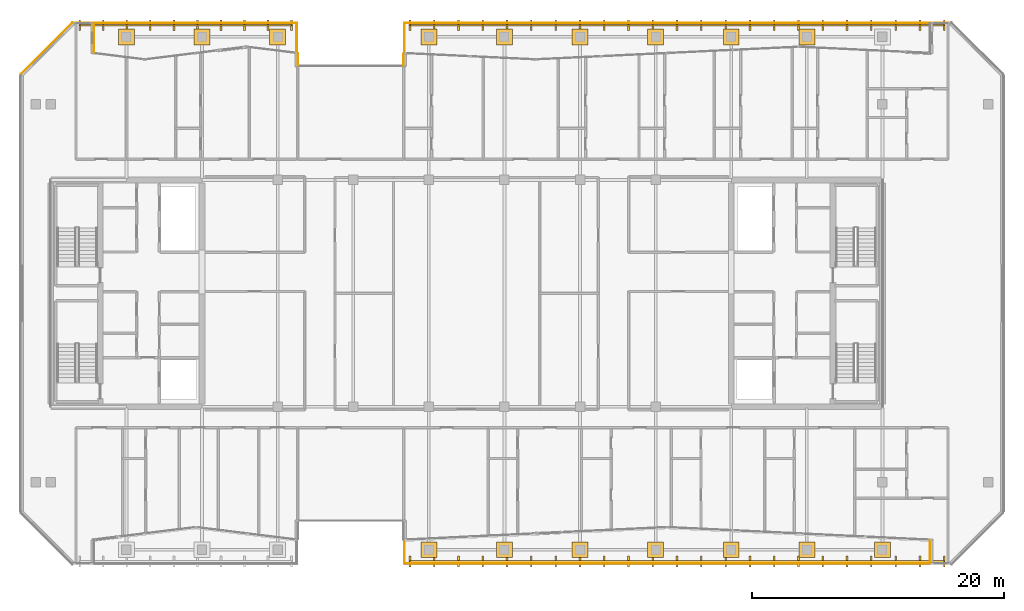
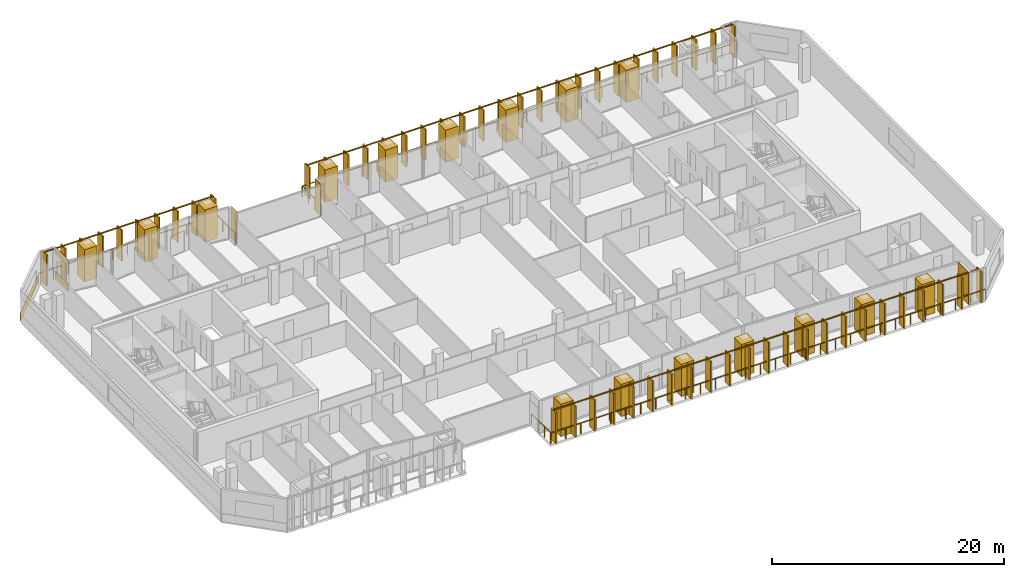
# One storey, part 29 of 31: 22 coverings, 6 railings.
"""IFC4 building model written with IfcOpenShell, lengths in metres."""

from ifc_helpers import new_model, si_unit, direction, frame, origin, origin_2d, place, context, subcontext, project, spatial, rectangle, extrude, material, layer, layer_set, type_object, element, save


model = new_model("IFC4")

# Units and contexts
model_context = context("Model", 3, precision=1e-05, world=origin(), true_north=direction((0.0, 1.0)))
body_context = subcontext(model_context, "Body", "Model", "MODEL_VIEW")
ifc_project = project(units=[si_unit("LENGTHUNIT", "METRE"), si_unit("AREAUNIT", "SQUARE_METRE"), si_unit("VOLUMEUNIT", "CUBIC_METRE"), si_unit("PLANEANGLEUNIT", "RADIAN"), si_unit("MASSUNIT", "GRAM", prefix="KILO")], contexts=[model_context])

# Site, building, storey
site_placement = place(None, origin())
site = spatial("IfcSite", under=ifc_project, at=site_placement, CompositionType="ELEMENT")
building_placement = place(site_placement, origin())
building = spatial("IfcBuilding", under=site, at=building_placement, Name="Tanjung Sevakor Pilgrim Tower", CompositionType="ELEMENT")
storey_placement = place(building_placement, frame((0.0, 0.0, 208.22998046875)))
storey = spatial("IfcBuildingStorey", under=building, at=storey_placement, Name="L58", CompositionType="ELEMENT", Elevation=208.22998046875)

# Coverings
ifc_material_1 = material(Name="Reconstructed Limestone Cladding", Category="masonry")
ifc_layer = layer(ifc_material_1, 0.044921875)
ifc_layer_set = layer_set([ifc_layer], Name="COV-CLAD-LIMESTONE")
covering_type = type_object("IfcCoveringType", Name="COV-CLAD-LIMESTONE", PredefinedType="CLADDING", material=ifc_layer_set)
covering_1_placement = place(storey_placement, frame((93.777587890625, 13.097412109375, 0.02001953125), z_axis=(0.0, 0.0, 1.0), x_axis=(0.0, -1.0, 0.0)))
element("IfcCovering", 1, at=covering_1_placement, inside=storey, type_object=covering_type, Name="L58 Warm Limestone Wall Cladding EW-L58-MAIN-14", PredefinedType="CLADDING", context=body_context, shape_type="SweptSolid", body=[
    extrude(rectangle(XDim=1.8349609375, YDim=0.044921875, at=origin_2d()), origin(), (0.0, 0.0, 1.0), 3.3701171875),
])
covering_2_placement = place(storey_placement, frame((51.9775390625, 52.147216796875, 0.02001953125), z_axis=(0.0, 0.0, 1.0), x_axis=(0.0, -1.0, 0.0)))
element("IfcCovering", 2, at=covering_2_placement, inside=storey, type_object=covering_type, Name="L58 Warm Limestone Wall Cladding EW-L58-MAIN-25", PredefinedType="CLADDING", context=body_context, shape_type="SweptSolid", body=[
    extrude(rectangle(XDim=0.974609375, YDim=0.044921875, at=origin_2d()), origin(), (0.0, 0.0, 1.0), 3.3701171875),
])
covering_3_placement = place(storey_placement, frame((43.62255859375, 52.156494140625, 0.02001953125), z_axis=(0.0, 0.0, 1.0), x_axis=(0.0, 1.0, 0.0)))
element("IfcCovering", 3, at=covering_3_placement, inside=storey, type_object=covering_type, Name="L58 Warm Limestone Wall Cladding EW-L58-MAIN-27", PredefinedType="CLADDING", context=body_context, shape_type="SweptSolid", body=[
    extrude(rectangle(XDim=0.99267578125, YDim=0.044921875, at=origin_2d()), origin(), (0.0, 0.0, 1.0), 3.3701171875),
])
covering_4_placement = place(storey_placement, frame((27.422607421875, 53.856201171875, 0.009765625), z_axis=(0.0, 0.0, 1.0), x_axis=(0.0, 1.0, 0.0)))
element("IfcCovering", 4, at=covering_4_placement, inside=storey, type_object=covering_type, Name="L58 Warm Limestone Sill Spandrel EW-L58-MAIN-32-1", PredefinedType="CLADDING", context=body_context, shape_type="SweptSolid", body=[
    extrude(rectangle(XDim=2.287353515625, YDim=0.044921875, at=origin_2d()), origin(), (0.0, 0.0, 1.0), 0.840087890625),
])
covering_5_placement = place(storey_placement, frame((27.422607421875, 53.856201171875, 2.66015625), z_axis=(0.0, 0.0, 1.0), x_axis=(0.0, 1.0, 0.0)))
element("IfcCovering", 5, at=covering_5_placement, inside=storey, type_object=covering_type, Name="L58 Warm Limestone Cornice Spandrel EW-L58-MAIN-32", PredefinedType="CLADDING", context=body_context, shape_type="SweptSolid", body=[
    extrude(rectangle(XDim=2.327392578125, YDim=0.044921875, at=origin_2d()), origin(), (0.0, 0.0, 1.0), 0.739990234375),
])
covering_6_placement = place(storey_placement, frame((23.68408203125, 53.06591796875, 0.009765625), z_axis=(0.0, 0.0, 1.0), x_axis=(-0.707106781187, -0.707106781187, 0.0)))
element("IfcCovering", 6, at=covering_6_placement, inside=storey, type_object=covering_type, Name="L58 Warm Limestone Sill Spandrel EW-CHM-L58-MAIN-33-1", PredefinedType="CLADDING", context=body_context, shape_type="SweptSolid", body=[
    extrude(rectangle(XDim=5.7685546875, YDim=0.044921875, at=origin_2d()), origin(), (0.0, 0.0, 1.0), 0.840087890625),
])
for number, where, z_axis, x_axis, name in (
    (7, (30.0, 53.949951171875, 0.01025390625), (0.0, 0.0, 1.0), (1.0, 0.0, 0.0), "L58 Colonnade Pier Limestone Casing 22"),
    (8, (36.0, 53.949951171875, 0.01025390625), (0.0, 0.0, 1.0), (1.0, 0.0, 0.0), "L58 Colonnade Pier Limestone Casing 24"),
    (9, (42.0, 53.949951171875, 0.01025390625), (0.0, 0.0, 1.0), (1.0, 0.0, 0.0), "L58 Colonnade Pier Limestone Casing 26"),
    (10, (54.0, 13.25, 0.01025390625), (0.0, 0.0, 1.0), (1.0, 0.0, 0.0), "L58 Colonnade Pier Limestone Casing 27"),
    (11, (54.0, 53.949951171875, 0.01025390625), (0.0, 0.0, 1.0), (1.0, 0.0, 0.0), "L58 Colonnade Pier Limestone Casing 28"),
    (12, (60.0, 13.25, 0.01025390625), (0.0, 0.0, 1.0), (1.0, 0.0, 0.0), "L58 Colonnade Pier Limestone Casing 29"),
    (13, (60.0, 53.949951171875, 0.01025390625), (0.0, 0.0, 1.0), (1.0, 0.0, 0.0), "L58 Colonnade Pier Limestone Casing 30"),
    (14, (66.0, 13.25, 0.01025390625), (0.0, 0.0, 1.0), (1.0, 0.0, 0.0), "L58 Colonnade Pier Limestone Casing 31"),
    (15, (66.0, 53.949951171875, 0.01025390625), (0.0, 0.0, 1.0), (1.0, 0.0, 0.0), "L58 Colonnade Pier Limestone Casing 32"),
    (16, (72.0, 13.25, 0.01025390625), (0.0, 0.0, 1.0), (1.0, 0.0, 0.0), "L58 Colonnade Pier Limestone Casing 33"),
    (17, (72.0, 53.949951171875, 0.01025390625), (0.0, 0.0, 1.0), (1.0, 0.0, 0.0), "L58 Colonnade Pier Limestone Casing 34"),
    (18, (78.0, 13.25, 0.01025390625), (0.0, 0.0, 1.0), (1.0, 0.0, 0.0), "L58 Colonnade Pier Limestone Casing 35"),
    (19, (78.0, 53.949951171875, 0.01025390625), (0.0, 0.0, 1.0), (1.0, 0.0, 0.0), "L58 Colonnade Pier Limestone Casing 36"),
    (20, (84.0, 13.25, 0.01025390625), (0.0, 0.0, 1.0), (1.0, 0.0, 0.0), "L58 Colonnade Pier Limestone Casing 37"),
    (21, (84.0, 53.949951171875, 0.01025390625), (0.0, 0.0, 1.0), (1.0, 0.0, 0.0), "L58 Colonnade Pier Limestone Casing 38"),
    (22, (90.0, 13.25, 0.01025390625), (0.0, 0.0, 1.0), (1.0, 0.0, 0.0), "L58 Colonnade Pier Limestone Casing 39"),
):
    element("IfcCovering", number, at=place(storey_placement, frame(where, z_axis=z_axis, x_axis=x_axis)), inside=storey, type_object=covering_type, Name=name, PredefinedType="CLADDING", context=body_context, shape_type="SweptSolid", body=[
        extrude(rectangle(XDim=1.260009765625, YDim=1.260009765625, at=origin_2d()), origin(), (0.0, 0.0, 1.0), 3.389892578125),
    ])

# Railings
ifc_material_2 = material(Name="Steel S355J2", Category="steel")
railing_type_1 = type_object("IfcRailingType", Name="RL-EXT-GUARD", PredefinedType="GUARDRAIL", material=ifc_material_2)
railing_1_placement = place(storey_placement, frame((25.800048828125, 55.050048828125, 0.0)))
element("IfcRailing", 23, at=railing_1_placement, inside=storey, type_object=railing_type_1, Name="L58 S-Curve Gap Guardrail NW", PredefinedType="GUARDRAIL", context=body_context, shape_type="SweptSolid", body=[
    extrude(rectangle(XDim=0.0479, YDim=0.0479), frame((0.0, 0.0, 1.1259765625), z_axis=(1.0, 0.0, 0.0), x_axis=(0.0, 1.0, 0.0)), (0.0, 0.0, 1.0), 17.719970703125),
    extrude(rectangle(XDim=0.0479, YDim=0.0479), frame((17.719970703125, 0.0, 1.1259765625), z_axis=(0.0, -1.0, 0.0), x_axis=(1.0, 0.0, 0.0)), (0.0, 0.0, 1.0), 3.300048828125),
    extrude(rectangle(XDim=0.042, YDim=0.042), origin(), (0.0, 0.0, 1.0), 1.101806640625),
    extrude(rectangle(XDim=0.042, YDim=0.042), frame((1.4765625, 0.0, 0.0)), (0.0, 0.0, 1.0), 1.101806640625),
    extrude(rectangle(XDim=0.042, YDim=0.042), frame((2.953369140625, 0.0, 0.0)), (0.0, 0.0, 1.0), 1.101806640625),
    extrude(rectangle(XDim=0.042, YDim=0.042), frame((4.429931640625, 0.0, 0.0)), (0.0, 0.0, 1.0), 1.101806640625),
    extrude(rectangle(XDim=0.042, YDim=0.042), frame((5.90673828125, 0.0, 0.0)), (0.0, 0.0, 1.0), 1.101806640625),
    extrude(rectangle(XDim=0.042, YDim=0.042), frame((7.38330078125, 0.0, 0.0)), (0.0, 0.0, 1.0), 1.101806640625),
    extrude(rectangle(XDim=0.042, YDim=0.042), frame((8.85986328125, 0.0, 0.0)), (0.0, 0.0, 1.0), 1.101806640625),
    extrude(rectangle(XDim=0.042, YDim=0.042), frame((10.336669921875, 0.0, 0.0)), (0.0, 0.0, 1.0), 1.101806640625),
    extrude(rectangle(XDim=0.042, YDim=0.042), frame((11.813232421875, 0.0, 0.0)), (0.0, 0.0, 1.0), 1.101806640625),
    extrude(rectangle(XDim=0.042, YDim=0.042), frame((13.2900390625, 0.0, 0.0)), (0.0, 0.0, 1.0), 1.101806640625),
    extrude(rectangle(XDim=0.042, YDim=0.042), frame((14.7666015625, 0.0, 0.0)), (0.0, 0.0, 1.0), 1.101806640625),
    extrude(rectangle(XDim=0.042, YDim=0.042), frame((16.243408203125, 0.0, 0.0)), (0.0, 0.0, 1.0), 1.101806640625),
    extrude(rectangle(XDim=0.042, YDim=0.042), frame((17.719970703125, 0.0, 0.0)), (0.0, 0.0, 1.0), 1.101806640625),
    extrude(rectangle(XDim=0.042, YDim=0.042), frame((17.719970703125, -1.10009765625, 0.0)), (0.0, 0.0, 1.0), 1.101806640625),
    extrude(rectangle(XDim=0.042, YDim=0.042), frame((17.719970703125, -2.199951171875, 0.0)), (0.0, 0.0, 1.0), 1.101806640625),
    extrude(rectangle(XDim=0.042, YDim=0.042), frame((17.719970703125, -3.300048828125, 0.0)), (0.0, 0.0, 1.0), 1.101806640625),
])
railing_2_placement = place(storey_placement, frame((52.080078125, 15.449951171875, 0.0)))
element("IfcRailing", 24, at=railing_2_placement, inside=storey, type_object=railing_type_1, Name="L58 S-Curve Gap Guardrail SE", PredefinedType="GUARDRAIL", context=body_context, shape_type="SweptSolid", body=[
    extrude(rectangle(XDim=0.0479, YDim=0.0479), frame((0.0, 0.0, 1.1259765625), z_axis=(0.0, -1.0, 0.0), x_axis=(1.0, 0.0, 0.0)), (0.0, 0.0, 1.0), 3.300048828125),
    extrude(rectangle(XDim=0.0479, YDim=0.0479), frame((0.0, -3.300048828125, 1.1259765625), z_axis=(1.0, 0.0, 0.0), x_axis=(0.0, 1.0, 0.0)), (0.0, 0.0, 1.0), 43.31982421875),
    extrude(rectangle(XDim=0.042, YDim=0.042), origin(), (0.0, 0.0, 1.0), 1.101806640625),
    extrude(rectangle(XDim=0.042, YDim=0.042), frame((0.0, -1.10009765625, 0.0)), (0.0, 0.0, 1.0), 1.101806640625),
    extrude(rectangle(XDim=0.042, YDim=0.042), frame((0.0, -2.199951171875, 0.0)), (0.0, 0.0, 1.0), 1.101806640625),
    extrude(rectangle(XDim=0.042, YDim=0.042), frame((0.0, -3.300048828125, 0.0)), (0.0, 0.0, 1.0), 1.101806640625),
    extrude(rectangle(XDim=0.042, YDim=0.042), frame((1.493896484375, -3.300048828125, 0.0)), (0.0, 0.0, 1.0), 1.101806640625),
    extrude(rectangle(XDim=0.042, YDim=0.042), frame((2.987548828125, -3.300048828125, 0.0)), (0.0, 0.0, 1.0), 1.101806640625),
    extrude(rectangle(XDim=0.042, YDim=0.042), frame((4.4814453125, -3.300048828125, 0.0)), (0.0, 0.0, 1.0), 1.101806640625),
    extrude(rectangle(XDim=0.042, YDim=0.042), frame((5.97509765625, -3.300048828125, 0.0)), (0.0, 0.0, 1.0), 1.101806640625),
    extrude(rectangle(XDim=0.042, YDim=0.042), frame((7.468994140625, -3.300048828125, 0.0)), (0.0, 0.0, 1.0), 1.101806640625),
    extrude(rectangle(XDim=0.042, YDim=0.042), frame((8.962646484375, -3.300048828125, 0.0)), (0.0, 0.0, 1.0), 1.101806640625),
    extrude(rectangle(XDim=0.042, YDim=0.042), frame((10.45654296875, -3.300048828125, 0.0)), (0.0, 0.0, 1.0), 1.101806640625),
    extrude(rectangle(XDim=0.042, YDim=0.042), frame((11.9501953125, -3.300048828125, 0.0)), (0.0, 0.0, 1.0), 1.101806640625),
    extrude(rectangle(XDim=0.042, YDim=0.042), frame((13.444091796875, -3.300048828125, 0.0)), (0.0, 0.0, 1.0), 1.101806640625),
    extrude(rectangle(XDim=0.042, YDim=0.042), frame((14.93798828125, -3.300048828125, 0.0)), (0.0, 0.0, 1.0), 1.101806640625),
    extrude(rectangle(XDim=0.042, YDim=0.042), frame((16.431640625, -3.300048828125, 0.0)), (0.0, 0.0, 1.0), 1.101806640625),
    extrude(rectangle(XDim=0.042, YDim=0.042), frame((17.925537109375, -3.300048828125, 0.0)), (0.0, 0.0, 1.0), 1.101806640625),
    extrude(rectangle(XDim=0.042, YDim=0.042), frame((19.419189453125, -3.300048828125, 0.0)), (0.0, 0.0, 1.0), 1.101806640625),
    extrude(rectangle(XDim=0.042, YDim=0.042), frame((20.9130859375, -3.300048828125, 0.0)), (0.0, 0.0, 1.0), 1.101806640625),
    extrude(rectangle(XDim=0.042, YDim=0.042), frame((22.40673828125, -3.300048828125, 0.0)), (0.0, 0.0, 1.0), 1.101806640625),
    extrude(rectangle(XDim=0.042, YDim=0.042), frame((23.900634765625, -3.300048828125, 0.0)), (0.0, 0.0, 1.0), 1.101806640625),
    extrude(rectangle(XDim=0.042, YDim=0.042), frame((25.394287109375, -3.300048828125, 0.0)), (0.0, 0.0, 1.0), 1.101806640625),
    extrude(rectangle(XDim=0.042, YDim=0.042), frame((26.88818359375, -3.300048828125, 0.0)), (0.0, 0.0, 1.0), 1.101806640625),
    extrude(rectangle(XDim=0.042, YDim=0.042), frame((28.3818359375, -3.300048828125, 0.0)), (0.0, 0.0, 1.0), 1.101806640625),
    extrude(rectangle(XDim=0.042, YDim=0.042), frame((29.875732421875, -3.300048828125, 0.0)), (0.0, 0.0, 1.0), 1.101806640625),
    extrude(rectangle(XDim=0.042, YDim=0.042), frame((31.36962890625, -3.300048828125, 0.0)), (0.0, 0.0, 1.0), 1.101806640625),
    extrude(rectangle(XDim=0.042, YDim=0.042), frame((32.86328125, -3.300048828125, 0.0)), (0.0, 0.0, 1.0), 1.101806640625),
    extrude(rectangle(XDim=0.042, YDim=0.042), frame((34.357177734375, -3.300048828125, 0.0)), (0.0, 0.0, 1.0), 1.101806640625),
    extrude(rectangle(XDim=0.042, YDim=0.042), frame((35.850830078125, -3.300048828125, 0.0)), (0.0, 0.0, 1.0), 1.101806640625),
    extrude(rectangle(XDim=0.042, YDim=0.042), frame((37.3447265625, -3.300048828125, 0.0)), (0.0, 0.0, 1.0), 1.101806640625),
    extrude(rectangle(XDim=0.042, YDim=0.042), frame((38.83837890625, -3.300048828125, 0.0)), (0.0, 0.0, 1.0), 1.101806640625),
    extrude(rectangle(XDim=0.042, YDim=0.042), frame((40.332275390625, -3.300048828125, 0.0)), (0.0, 0.0, 1.0), 1.101806640625),
    extrude(rectangle(XDim=0.042, YDim=0.042), frame((41.825927734375, -3.300048828125, 0.0)), (0.0, 0.0, 1.0), 1.101806640625),
    extrude(rectangle(XDim=0.042, YDim=0.042), frame((43.31982421875, -3.300048828125, 0.0)), (0.0, 0.0, 1.0), 1.101806640625),
])
railing_3_placement = place(storey_placement, frame((52.080078125, 51.75, 0.0)))
element("IfcRailing", 25, at=railing_3_placement, inside=storey, type_object=railing_type_1, Name="L58 S-Curve Gap Guardrail NE", PredefinedType="GUARDRAIL", context=body_context, shape_type="SweptSolid", body=[
    extrude(rectangle(XDim=0.0479, YDim=0.0479), frame((0.0, 0.0, 1.1259765625), z_axis=(0.0, 1.0, 0.0), x_axis=(-1.0, 0.0, 0.0)), (0.0, 0.0, 1.0), 3.300048828125),
    extrude(rectangle(XDim=0.0479, YDim=0.0479), frame((0.0, 3.300048828125, 1.1259765625), z_axis=(1.0, 0.0, 0.0), x_axis=(0.0, 1.0, 0.0)), (0.0, 0.0, 1.0), 43.31982421875),
    extrude(rectangle(XDim=0.042, YDim=0.042), origin(), (0.0, 0.0, 1.0), 1.101806640625),
    extrude(rectangle(XDim=0.042, YDim=0.042), frame((0.0, 1.10009765625, 0.0)), (0.0, 0.0, 1.0), 1.101806640625),
    extrude(rectangle(XDim=0.042, YDim=0.042), frame((0.0, 2.199951171875, 0.0)), (0.0, 0.0, 1.0), 1.101806640625),
    extrude(rectangle(XDim=0.042, YDim=0.042), frame((0.0, 3.300048828125, 0.0)), (0.0, 0.0, 1.0), 1.101806640625),
    extrude(rectangle(XDim=0.042, YDim=0.042), frame((1.493896484375, 3.300048828125, 0.0)), (0.0, 0.0, 1.0), 1.101806640625),
    extrude(rectangle(XDim=0.042, YDim=0.042), frame((2.987548828125, 3.300048828125, 0.0)), (0.0, 0.0, 1.0), 1.101806640625),
    extrude(rectangle(XDim=0.042, YDim=0.042), frame((4.4814453125, 3.300048828125, 0.0)), (0.0, 0.0, 1.0), 1.101806640625),
    extrude(rectangle(XDim=0.042, YDim=0.042), frame((5.97509765625, 3.300048828125, 0.0)), (0.0, 0.0, 1.0), 1.101806640625),
    extrude(rectangle(XDim=0.042, YDim=0.042), frame((7.468994140625, 3.300048828125, 0.0)), (0.0, 0.0, 1.0), 1.101806640625),
    extrude(rectangle(XDim=0.042, YDim=0.042), frame((8.962646484375, 3.300048828125, 0.0)), (0.0, 0.0, 1.0), 1.101806640625),
    extrude(rectangle(XDim=0.042, YDim=0.042), frame((10.45654296875, 3.300048828125, 0.0)), (0.0, 0.0, 1.0), 1.101806640625),
    extrude(rectangle(XDim=0.042, YDim=0.042), frame((11.9501953125, 3.300048828125, 0.0)), (0.0, 0.0, 1.0), 1.101806640625),
    extrude(rectangle(XDim=0.042, YDim=0.042), frame((13.444091796875, 3.300048828125, 0.0)), (0.0, 0.0, 1.0), 1.101806640625),
    extrude(rectangle(XDim=0.042, YDim=0.042), frame((14.93798828125, 3.300048828125, 0.0)), (0.0, 0.0, 1.0), 1.101806640625),
    extrude(rectangle(XDim=0.042, YDim=0.042), frame((16.431640625, 3.300048828125, 0.0)), (0.0, 0.0, 1.0), 1.101806640625),
    extrude(rectangle(XDim=0.042, YDim=0.042), frame((17.925537109375, 3.300048828125, 0.0)), (0.0, 0.0, 1.0), 1.101806640625),
    extrude(rectangle(XDim=0.042, YDim=0.042), frame((19.419189453125, 3.300048828125, 0.0)), (0.0, 0.0, 1.0), 1.101806640625),
    extrude(rectangle(XDim=0.042, YDim=0.042), frame((20.9130859375, 3.300048828125, 0.0)), (0.0, 0.0, 1.0), 1.101806640625),
    extrude(rectangle(XDim=0.042, YDim=0.042), frame((22.40673828125, 3.300048828125, 0.0)), (0.0, 0.0, 1.0), 1.101806640625),
    extrude(rectangle(XDim=0.042, YDim=0.042), frame((23.900634765625, 3.300048828125, 0.0)), (0.0, 0.0, 1.0), 1.101806640625),
    extrude(rectangle(XDim=0.042, YDim=0.042), frame((25.394287109375, 3.300048828125, 0.0)), (0.0, 0.0, 1.0), 1.101806640625),
    extrude(rectangle(XDim=0.042, YDim=0.042), frame((26.88818359375, 3.300048828125, 0.0)), (0.0, 0.0, 1.0), 1.101806640625),
    extrude(rectangle(XDim=0.042, YDim=0.042), frame((28.3818359375, 3.300048828125, 0.0)), (0.0, 0.0, 1.0), 1.101806640625),
    extrude(rectangle(XDim=0.042, YDim=0.042), frame((29.875732421875, 3.300048828125, 0.0)), (0.0, 0.0, 1.0), 1.101806640625),
    extrude(rectangle(XDim=0.042, YDim=0.042), frame((31.36962890625, 3.300048828125, 0.0)), (0.0, 0.0, 1.0), 1.101806640625),
    extrude(rectangle(XDim=0.042, YDim=0.042), frame((32.86328125, 3.300048828125, 0.0)), (0.0, 0.0, 1.0), 1.101806640625),
    extrude(rectangle(XDim=0.042, YDim=0.042), frame((34.357177734375, 3.300048828125, 0.0)), (0.0, 0.0, 1.0), 1.101806640625),
    extrude(rectangle(XDim=0.042, YDim=0.042), frame((35.850830078125, 3.300048828125, 0.0)), (0.0, 0.0, 1.0), 1.101806640625),
    extrude(rectangle(XDim=0.042, YDim=0.042), frame((37.3447265625, 3.300048828125, 0.0)), (0.0, 0.0, 1.0), 1.101806640625),
    extrude(rectangle(XDim=0.042, YDim=0.042), frame((38.83837890625, 3.300048828125, 0.0)), (0.0, 0.0, 1.0), 1.101806640625),
    extrude(rectangle(XDim=0.042, YDim=0.042), frame((40.332275390625, 3.300048828125, 0.0)), (0.0, 0.0, 1.0), 1.101806640625),
    extrude(rectangle(XDim=0.042, YDim=0.042), frame((41.825927734375, 3.300048828125, 0.0)), (0.0, 0.0, 1.0), 1.101806640625),
    extrude(rectangle(XDim=0.042, YDim=0.042), frame((43.31982421875, 3.300048828125, 0.0)), (0.0, 0.0, 1.0), 1.101806640625),
])
ifc_material_3 = material(Name="Anodised Bronze Aluminium 6063-T6", Category="aluminium")
railing_type_2 = type_object("IfcRailingType", Name="RL-FIN-SCREEN", PredefinedType="BALUSTRADE", material=ifc_material_3)
railing_4_placement = place(storey_placement, frame((26.300048828125, 54.8701171875, 0.0)))
element("IfcRailing", 26, at=railing_4_placement, inside=storey, type_object=railing_type_2, Name="L58 Vertical Bronze-Gold Solar Fin Screen FN-SCGAP-L58-NW-1", PredefinedType="BALUSTRADE", context=body_context, shape_type="SweptSolid", body=[
    extrude(rectangle(XDim=0.105, YDim=0.105), frame((0.0, 0.0, 3.317626953125), z_axis=(1.0, 0.0, 0.0), x_axis=(0.0, 1.0, 0.0)), (0.0, 0.0, 1.0), 16.800048828125),
    extrude(rectangle(XDim=0.14, YDim=0.85), origin(), (0.0, 0.0, 1.0), 3.26513671875),
    extrude(rectangle(XDim=0.14, YDim=0.85), frame((1.86669921875, 0.0, 0.0)), (0.0, 0.0, 1.0), 3.26513671875),
    extrude(rectangle(XDim=0.14, YDim=0.85), frame((3.7333984375, 0.0, 0.0)), (0.0, 0.0, 1.0), 3.26513671875),
    extrude(rectangle(XDim=0.14, YDim=0.85), frame((5.60009765625, 0.0, 0.0)), (0.0, 0.0, 1.0), 3.26513671875),
    extrude(rectangle(XDim=0.14, YDim=0.85), frame((7.466796875, 0.0, 0.0)), (0.0, 0.0, 1.0), 3.26513671875),
    extrude(rectangle(XDim=0.14, YDim=0.85), frame((9.333251953125, 0.0, 0.0)), (0.0, 0.0, 1.0), 3.26513671875),
    extrude(rectangle(XDim=0.14, YDim=0.85), frame((11.199951171875, 0.0, 0.0)), (0.0, 0.0, 1.0), 3.26513671875),
    extrude(rectangle(XDim=0.14, YDim=0.85), frame((13.066650390625, 0.0, 0.0)), (0.0, 0.0, 1.0), 3.26513671875),
    extrude(rectangle(XDim=0.14, YDim=0.85), frame((14.933349609375, 0.0, 0.0)), (0.0, 0.0, 1.0), 3.26513671875),
    extrude(rectangle(XDim=0.14, YDim=0.85), frame((16.800048828125, 0.0, 0.0)), (0.0, 0.0, 1.0), 3.26513671875),
])
railing_5_placement = place(storey_placement, frame((52.5, 12.330078125, 0.0)))
element("IfcRailing", 27, at=railing_5_placement, inside=storey, type_object=railing_type_2, Name="L58 Vertical Bronze-Gold Solar Fin Screen FN-SCGAP-L58-SE-1", PredefinedType="BALUSTRADE", context=body_context, shape_type="SweptSolid", body=[
    extrude(rectangle(XDim=0.105, YDim=0.105), frame((0.0, 0.0, 3.317626953125), z_axis=(1.0, 0.0, 0.0), x_axis=(0.0, 1.0, 0.0)), (0.0, 0.0, 1.0), 42.39990234375),
    extrude(rectangle(XDim=0.14, YDim=0.85), origin(), (0.0, 0.0, 1.0), 3.26513671875),
    extrude(rectangle(XDim=0.14, YDim=0.85), frame((1.92724609375, 0.0, 0.0)), (0.0, 0.0, 1.0), 3.26513671875),
    extrude(rectangle(XDim=0.14, YDim=0.85), frame((3.8544921875, 0.0, 0.0)), (0.0, 0.0, 1.0), 3.26513671875),
    extrude(rectangle(XDim=0.14, YDim=0.85), frame((5.78173828125, 0.0, 0.0)), (0.0, 0.0, 1.0), 3.26513671875),
    extrude(rectangle(XDim=0.14, YDim=0.85), frame((7.708984375, 0.0, 0.0)), (0.0, 0.0, 1.0), 3.26513671875),
    extrude(rectangle(XDim=0.14, YDim=0.85), frame((9.63623046875, 0.0, 0.0)), (0.0, 0.0, 1.0), 3.26513671875),
    extrude(rectangle(XDim=0.14, YDim=0.85), frame((11.563720703125, 0.0, 0.0)), (0.0, 0.0, 1.0), 3.26513671875),
    extrude(rectangle(XDim=0.14, YDim=0.85), frame((13.490966796875, 0.0, 0.0)), (0.0, 0.0, 1.0), 3.26513671875),
    extrude(rectangle(XDim=0.14, YDim=0.85), frame((15.418212890625, 0.0, 0.0)), (0.0, 0.0, 1.0), 3.26513671875),
    extrude(rectangle(XDim=0.14, YDim=0.85), frame((17.345458984375, 0.0, 0.0)), (0.0, 0.0, 1.0), 3.26513671875),
    extrude(rectangle(XDim=0.14, YDim=0.85), frame((19.272705078125, 0.0, 0.0)), (0.0, 0.0, 1.0), 3.26513671875),
    extrude(rectangle(XDim=0.14, YDim=0.85), frame((21.199951171875, 0.0, 0.0)), (0.0, 0.0, 1.0), 3.26513671875),
    extrude(rectangle(XDim=0.14, YDim=0.85), frame((23.127197265625, 0.0, 0.0)), (0.0, 0.0, 1.0), 3.26513671875),
    extrude(rectangle(XDim=0.14, YDim=0.85), frame((25.054443359375, 0.0, 0.0)), (0.0, 0.0, 1.0), 3.26513671875),
    extrude(rectangle(XDim=0.14, YDim=0.85), frame((26.981689453125, 0.0, 0.0)), (0.0, 0.0, 1.0), 3.26513671875),
    extrude(rectangle(XDim=0.14, YDim=0.85), frame((28.908935546875, 0.0, 0.0)), (0.0, 0.0, 1.0), 3.26513671875),
    extrude(rectangle(XDim=0.14, YDim=0.85), frame((30.836181640625, 0.0, 0.0)), (0.0, 0.0, 1.0), 3.26513671875),
    extrude(rectangle(XDim=0.14, YDim=0.85), frame((32.763671875, 0.0, 0.0)), (0.0, 0.0, 1.0), 3.26513671875),
    extrude(rectangle(XDim=0.14, YDim=0.85), frame((34.69091796875, 0.0, 0.0)), (0.0, 0.0, 1.0), 3.26513671875),
    extrude(rectangle(XDim=0.14, YDim=0.85), frame((36.6181640625, 0.0, 0.0)), (0.0, 0.0, 1.0), 3.26513671875),
    extrude(rectangle(XDim=0.14, YDim=0.85), frame((38.54541015625, 0.0, 0.0)), (0.0, 0.0, 1.0), 3.26513671875),
    extrude(rectangle(XDim=0.14, YDim=0.85), frame((40.47265625, 0.0, 0.0)), (0.0, 0.0, 1.0), 3.26513671875),
    extrude(rectangle(XDim=0.14, YDim=0.85), frame((42.39990234375, 0.0, 0.0)), (0.0, 0.0, 1.0), 3.26513671875),
])
railing_6_placement = place(storey_placement, frame((52.5, 54.8701171875, 0.0)))
element("IfcRailing", 28, at=railing_6_placement, inside=storey, type_object=railing_type_2, Name="L58 Vertical Bronze-Gold Solar Fin Screen FN-SCGAP-L58-NE-1", PredefinedType="BALUSTRADE", context=body_context, shape_type="SweptSolid", body=[
    extrude(rectangle(XDim=0.105, YDim=0.105), frame((0.0, 0.0, 3.317626953125), z_axis=(1.0, 0.0, 0.0), x_axis=(0.0, 1.0, 0.0)), (0.0, 0.0, 1.0), 42.39990234375),
    extrude(rectangle(XDim=0.14, YDim=0.85), origin(), (0.0, 0.0, 1.0), 3.26513671875),
    extrude(rectangle(XDim=0.14, YDim=0.85), frame((1.92724609375, 0.0, 0.0)), (0.0, 0.0, 1.0), 3.26513671875),
    extrude(rectangle(XDim=0.14, YDim=0.85), frame((3.8544921875, 0.0, 0.0)), (0.0, 0.0, 1.0), 3.26513671875),
    extrude(rectangle(XDim=0.14, YDim=0.85), frame((5.78173828125, 0.0, 0.0)), (0.0, 0.0, 1.0), 3.26513671875),
    extrude(rectangle(XDim=0.14, YDim=0.85), frame((7.708984375, 0.0, 0.0)), (0.0, 0.0, 1.0), 3.26513671875),
    extrude(rectangle(XDim=0.14, YDim=0.85), frame((9.63623046875, 0.0, 0.0)), (0.0, 0.0, 1.0), 3.26513671875),
    extrude(rectangle(XDim=0.14, YDim=0.85), frame((11.563720703125, 0.0, 0.0)), (0.0, 0.0, 1.0), 3.26513671875),
    extrude(rectangle(XDim=0.14, YDim=0.85), frame((13.490966796875, 0.0, 0.0)), (0.0, 0.0, 1.0), 3.26513671875),
    extrude(rectangle(XDim=0.14, YDim=0.85), frame((15.418212890625, 0.0, 0.0)), (0.0, 0.0, 1.0), 3.26513671875),
    extrude(rectangle(XDim=0.14, YDim=0.85), frame((17.345458984375, 0.0, 0.0)), (0.0, 0.0, 1.0), 3.26513671875),
    extrude(rectangle(XDim=0.14, YDim=0.85), frame((19.272705078125, 0.0, 0.0)), (0.0, 0.0, 1.0), 3.26513671875),
    extrude(rectangle(XDim=0.14, YDim=0.85), frame((21.199951171875, 0.0, 0.0)), (0.0, 0.0, 1.0), 3.26513671875),
    extrude(rectangle(XDim=0.14, YDim=0.85), frame((23.127197265625, 0.0, 0.0)), (0.0, 0.0, 1.0), 3.26513671875),
    extrude(rectangle(XDim=0.14, YDim=0.85), frame((25.054443359375, 0.0, 0.0)), (0.0, 0.0, 1.0), 3.26513671875),
    extrude(rectangle(XDim=0.14, YDim=0.85), frame((26.981689453125, 0.0, 0.0)), (0.0, 0.0, 1.0), 3.26513671875),
    extrude(rectangle(XDim=0.14, YDim=0.85), frame((28.908935546875, 0.0, 0.0)), (0.0, 0.0, 1.0), 3.26513671875),
    extrude(rectangle(XDim=0.14, YDim=0.85), frame((30.836181640625, 0.0, 0.0)), (0.0, 0.0, 1.0), 3.26513671875),
    extrude(rectangle(XDim=0.14, YDim=0.85), frame((32.763671875, 0.0, 0.0)), (0.0, 0.0, 1.0), 3.26513671875),
    extrude(rectangle(XDim=0.14, YDim=0.85), frame((34.69091796875, 0.0, 0.0)), (0.0, 0.0, 1.0), 3.26513671875),
    extrude(rectangle(XDim=0.14, YDim=0.85), frame((36.6181640625, 0.0, 0.0)), (0.0, 0.0, 1.0), 3.26513671875),
    extrude(rectangle(XDim=0.14, YDim=0.85), frame((38.54541015625, 0.0, 0.0)), (0.0, 0.0, 1.0), 3.26513671875),
    extrude(rectangle(XDim=0.14, YDim=0.85), frame((40.47265625, 0.0, 0.0)), (0.0, 0.0, 1.0), 3.26513671875),
    extrude(rectangle(XDim=0.14, YDim=0.85), frame((42.39990234375, 0.0, 0.0)), (0.0, 0.0, 1.0), 3.26513671875),
])

save(model, "model.ifc")
